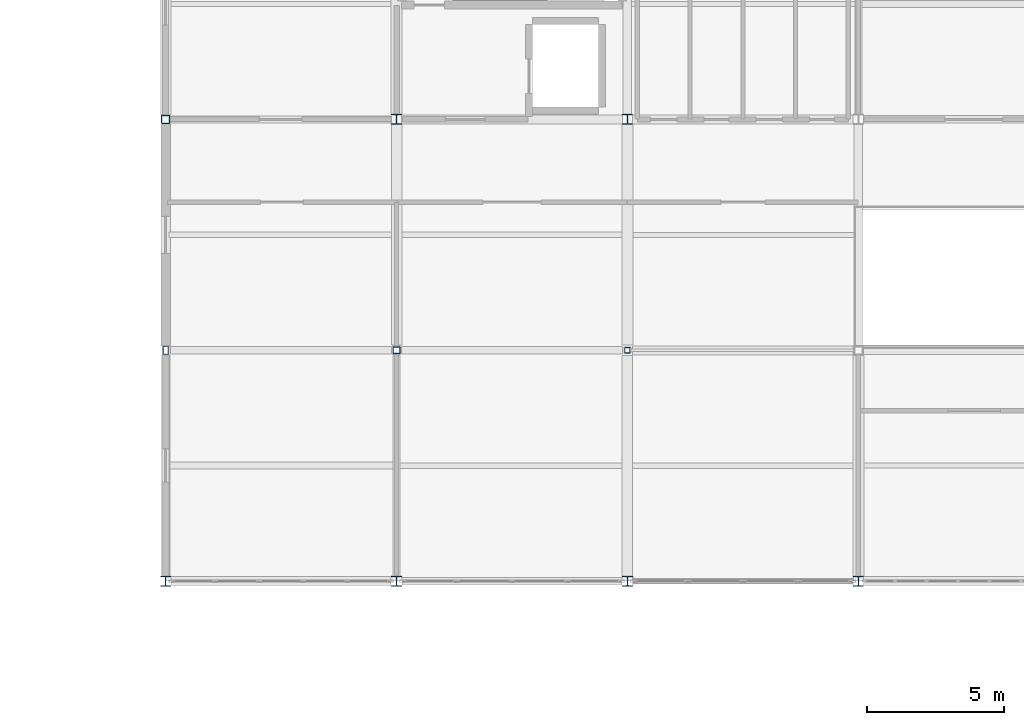
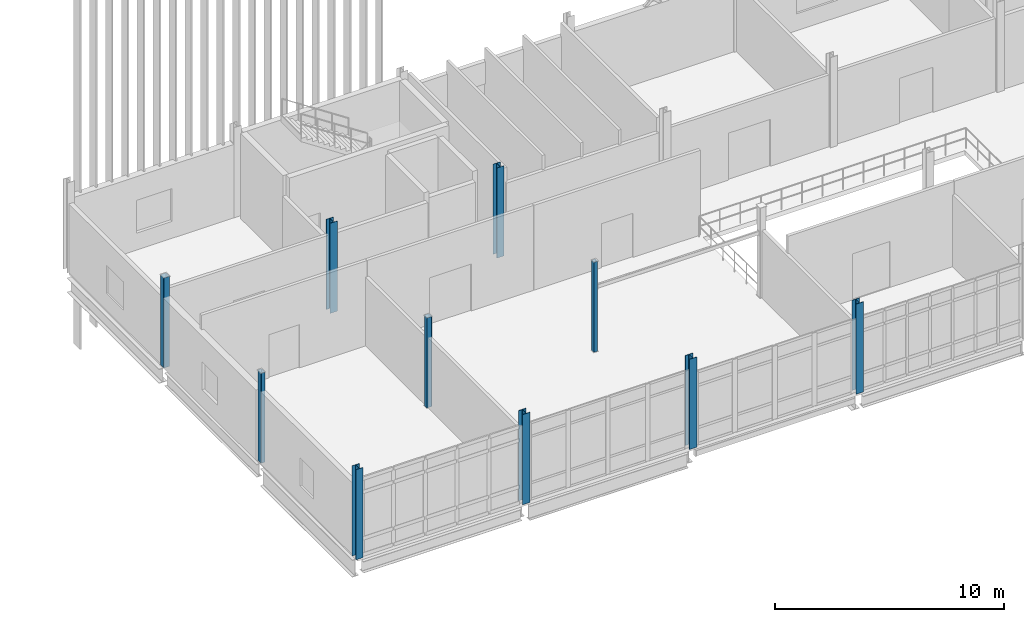
# One storey, part 1 of 72: 10 columns.
"""IFC4 building model written with IfcOpenShell, lengths in metres."""

from ifc_helpers import new_model, si_unit, direction, frame, origin, origin_2d, place, context, subcontext, project, spatial, hollow_rectangle, i_section, extrude, material, material_profile, profile_set, type_object, element, save


model = new_model("IFC4")

# Units and contexts
model_context = context("Model", 3, precision=1e-05, world=origin(), true_north=direction((0.0, 1.0)))
body_context = subcontext(model_context, "Body", "Model", "MODEL_VIEW")
ifc_project = project(units=[si_unit("LENGTHUNIT", "METRE"), si_unit("AREAUNIT", "SQUARE_METRE"), si_unit("VOLUMEUNIT", "CUBIC_METRE"), si_unit("PLANEANGLEUNIT", "RADIAN"), si_unit("MASSUNIT", "GRAM", prefix="KILO")], contexts=[model_context])

# Site, building, storey
site_placement = place(None, origin())
site = spatial("IfcSite", under=ifc_project, at=site_placement, CompositionType="ELEMENT")
building_placement = place(site_placement, origin())
building = spatial("IfcBuilding", under=site, at=building_placement, Name="Calvrana Isthmian Art Gallery", CompositionType="ELEMENT")
storey_placement = place(building_placement, frame((0.0, 0.0, 15.0)))
storey = spatial("IfcBuildingStorey", under=building, at=storey_placement, Name="L03", CompositionType="ELEMENT", Elevation=15.0)

# Columns
ifc_material_1 = material(Name="Steel ASTM A500 Gr C", Category="steel")
ifc_material_profile_1 = material_profile(ifc_material_1, hollow_rectangle(XDim=0.203125, YDim=0.203125, WallThickness=0.0126953125, OuterFilletRadius=0.02490234375, at=origin_2d()), Name="HSS203X203X12.7")
ifc_profile_set_1 = profile_set([ifc_material_profile_1], Name="Steel ASTM A500 Gr C")
column_type_1 = type_object("IfcColumnType", Name="COL-STL-HSS203X203X12.7", PredefinedType="COLUMN", material=ifc_profile_set_1)
column_1_placement = place(storey_placement, frame((38.39990234375, 30.0, 0.0), z_axis=(0.0, 0.0, 1.0), x_axis=(1.0, 0.0, 0.0)))
element("IfcColumn", 1, at=column_1_placement, inside=storey, type_object=column_type_1, Name="Column 06/E L03", PredefinedType="COLUMN", context=body_context, shape_type="SweptSolid", body=[
    extrude(hollow_rectangle(XDim=0.203125, YDim=0.203125, WallThickness=0.0126953125, OuterFilletRadius=0.02490234375, at=origin_2d()), origin(), (0.0, 0.0, 1.0), 4.800048828125),
])
ifc_material_profile_2 = material_profile(ifc_material_1, hollow_rectangle(XDim=0.25390625, YDim=0.25390625, WallThickness=0.0126953125, OuterFilletRadius=0.02490234375, at=origin_2d()), Name="HSS254X254X12.7")
ifc_profile_set_2 = profile_set([ifc_material_profile_2], Name="Steel ASTM A500 Gr C")
column_type_2 = type_object("IfcColumnType", Name="COL-STL-HSS254X254X12.7", PredefinedType="COLUMN", material=ifc_profile_set_2)
column_2_placement = place(storey_placement, frame((30.0, 30.0, 0.0), z_axis=(0.0, 0.0, 1.0), x_axis=(1.0, 0.0, 0.0)))
element("IfcColumn", 2, at=column_2_placement, inside=storey, type_object=column_type_2, Name="Column 05/E L03", PredefinedType="COLUMN", context=body_context, shape_type="SweptSolid", body=[
    extrude(hollow_rectangle(XDim=0.25390625, YDim=0.25390625, WallThickness=0.0126953125, OuterFilletRadius=0.02490234375, at=origin_2d()), origin(), (0.0, 0.0, 1.0), 4.800048828125),
])
ifc_material_profile_3 = material_profile(ifc_material_1, hollow_rectangle(XDim=0.203125, YDim=0.3046875, WallThickness=0.0126953125, OuterFilletRadius=0.02490234375, at=origin_2d()), Name="HSS305X203X12.7")
ifc_profile_set_3 = profile_set([ifc_material_profile_3], Name="Steel ASTM A500 Gr C")
column_type_3 = type_object("IfcColumnType", Name="COL-STL-HSS305X203X12.7", PredefinedType="COLUMN", material=ifc_profile_set_3)
column_3_placement = place(storey_placement, frame((21.60009765625, 30.0, 0.0), z_axis=(0.0, 0.0, 1.0), x_axis=(1.0, 0.0, 0.0)))
element("IfcColumn", 3, at=column_3_placement, inside=storey, type_object=column_type_3, Name="Column 04/E L03", PredefinedType="COLUMN", context=body_context, shape_type="SweptSolid", body=[
    extrude(hollow_rectangle(XDim=0.203125, YDim=0.3046875, WallThickness=0.0126953125, OuterFilletRadius=0.02490234375, at=origin_2d()), origin(), (0.0, 0.0, 1.0), 4.800048828125),
])
ifc_material_profile_4 = material_profile(ifc_material_1, hollow_rectangle(XDim=0.3046875, YDim=0.3046875, WallThickness=0.015869140625, OuterFilletRadius=0.031982421875, at=origin_2d()), Name="HSS305X305X15.9")
ifc_profile_set_4 = profile_set([ifc_material_profile_4], Name="Steel ASTM A500 Gr C")
column_type_4 = type_object("IfcColumnType", Name="COL-STL-HSS305X305X15.9", PredefinedType="COLUMN", material=ifc_profile_set_4)
column_4_placement = place(storey_placement, frame((21.60009765625, 38.39990234375, 0.0), z_axis=(0.0, 0.0, 1.0), x_axis=(1.0, 0.0, 0.0)))
element("IfcColumn", 4, at=column_4_placement, inside=storey, type_object=column_type_4, Name="Column 04/F L03", PredefinedType="COLUMN", context=body_context, shape_type="SweptSolid", body=[
    extrude(hollow_rectangle(XDim=0.3046875, YDim=0.3046875, WallThickness=0.015869140625, OuterFilletRadius=0.031982421875, at=origin_2d()), origin(), (0.0, 0.0, 1.0), 4.800048828125),
])
ifc_material_2 = material(Name="Steel ASTM A992 Gr 50", Category="steel")
ifc_material_profile_5 = material_profile(ifc_material_2, i_section(OverallWidth=0.37109375, OverallDepth=0.363037109375, WebThickness=0.01318359375, FlangeThickness=0.021728515625, FilletRadius=0.02490234375, at=origin_2d()), Name="W14X109")
ifc_profile_set_5 = profile_set([ifc_material_profile_5], Name="Steel ASTM A992 Gr 50")
column_type_5 = type_object("IfcColumnType", Name="COL-STL-W14X109", PredefinedType="COLUMN", material=ifc_profile_set_5)
for number, where, z_axis, x_axis, name in (
    (5, (30.0, 38.39990234375, 0.0), (0.0, 0.0, 1.0), (1.0, 0.0, 0.0), "Column 05/F L03"),
    (6, (46.800048828125, 21.60009765625, 0.0), (0.0, 0.0, 1.0), (1.0, 0.0, 0.0), "Column 07/D L03"),
):
    element("IfcColumn", number, at=place(storey_placement, frame(where, z_axis=z_axis, x_axis=x_axis)), inside=storey, type_object=column_type_5, Name=name, PredefinedType="COLUMN", context=body_context, shape_type="SweptSolid", body=[
        extrude(i_section(OverallWidth=0.37109375, OverallDepth=0.363037109375, WebThickness=0.01318359375, FlangeThickness=0.021728515625, FilletRadius=0.02490234375, at=origin_2d()), origin(), (0.0, 0.0, 1.0), 4.800048828125),
    ])
ifc_material_profile_6 = material_profile(ifc_material_2, i_section(OverallWidth=0.373046875, OverallDepth=0.367919921875, WebThickness=0.014892578125, FlangeThickness=0.02392578125, FilletRadius=0.02490234375, at=origin_2d()), Name="W14X120")
ifc_profile_set_6 = profile_set([ifc_material_profile_6], Name="Steel ASTM A992 Gr 50")
column_type_6 = type_object("IfcColumnType", Name="COL-STL-W14X120", PredefinedType="COLUMN", material=ifc_profile_set_6)
column_5_placement = place(storey_placement, frame((38.39990234375, 21.60009765625, 0.0), z_axis=(0.0, 0.0, 1.0), x_axis=(1.0, 0.0, 0.0)))
element("IfcColumn", 7, at=column_5_placement, inside=storey, type_object=column_type_6, Name="Column 06/D L03", PredefinedType="COLUMN", context=body_context, shape_type="SweptSolid", body=[
    extrude(i_section(OverallWidth=0.373046875, OverallDepth=0.367919921875, WebThickness=0.014892578125, FlangeThickness=0.02392578125, FilletRadius=0.02490234375, at=origin_2d()), origin(), (0.0, 0.0, 1.0), 4.800048828125),
])
ifc_material_profile_7 = material_profile(ifc_material_2, i_section(OverallWidth=0.373046875, OverallDepth=0.373046875, WebThickness=0.016357421875, FlangeThickness=0.026123046875, FilletRadius=0.02490234375, at=origin_2d()), Name="W14X132")
ifc_profile_set_7 = profile_set([ifc_material_profile_7], Name="Steel ASTM A992 Gr 50")
column_type_7 = type_object("IfcColumnType", Name="COL-STL-W14X132", PredefinedType="COLUMN", material=ifc_profile_set_7)
column_6_placement = place(storey_placement, frame((30.0, 21.60009765625, 0.0), z_axis=(0.0, 0.0, 1.0), x_axis=(1.0, 0.0, 0.0)))
element("IfcColumn", 8, at=column_6_placement, inside=storey, type_object=column_type_7, Name="Column 05/D L03", PredefinedType="COLUMN", context=body_context, shape_type="SweptSolid", body=[
    extrude(i_section(OverallWidth=0.373046875, OverallDepth=0.373046875, WebThickness=0.016357421875, FlangeThickness=0.026123046875, FilletRadius=0.02490234375, at=origin_2d()), origin(), (0.0, 0.0, 1.0), 4.800048828125),
])
ifc_material_profile_8 = material_profile(ifc_material_2, i_section(OverallWidth=0.367919921875, OverallDepth=0.35595703125, WebThickness=0.01123046875, FlangeThickness=0.01806640625, FilletRadius=0.02490234375, at=origin_2d()), Name="W14X90")
ifc_profile_set_8 = profile_set([ifc_material_profile_8], Name="Steel ASTM A992 Gr 50")
column_type_8 = type_object("IfcColumnType", Name="COL-STL-W14X90", PredefinedType="COLUMN", material=ifc_profile_set_8)
for number, where, z_axis, x_axis, name in (
    (9, (21.60009765625, 21.60009765625, 0.0), (0.0, 0.0, 1.0), (1.0, 0.0, 0.0), "Column 04/D L03"),
    (10, (38.39990234375, 38.39990234375, 0.0), (0.0, 0.0, 1.0), (1.0, 0.0, 0.0), "Column 06/F L03"),
):
    element("IfcColumn", number, at=place(storey_placement, frame(where, z_axis=z_axis, x_axis=x_axis)), inside=storey, type_object=column_type_8, Name=name, PredefinedType="COLUMN", context=body_context, shape_type="SweptSolid", body=[
        extrude(i_section(OverallWidth=0.367919921875, OverallDepth=0.35595703125, WebThickness=0.01123046875, FlangeThickness=0.01806640625, FilletRadius=0.02490234375, at=origin_2d()), origin(), (0.0, 0.0, 1.0), 4.800048828125),
    ])

save(model, "model.ifc")
